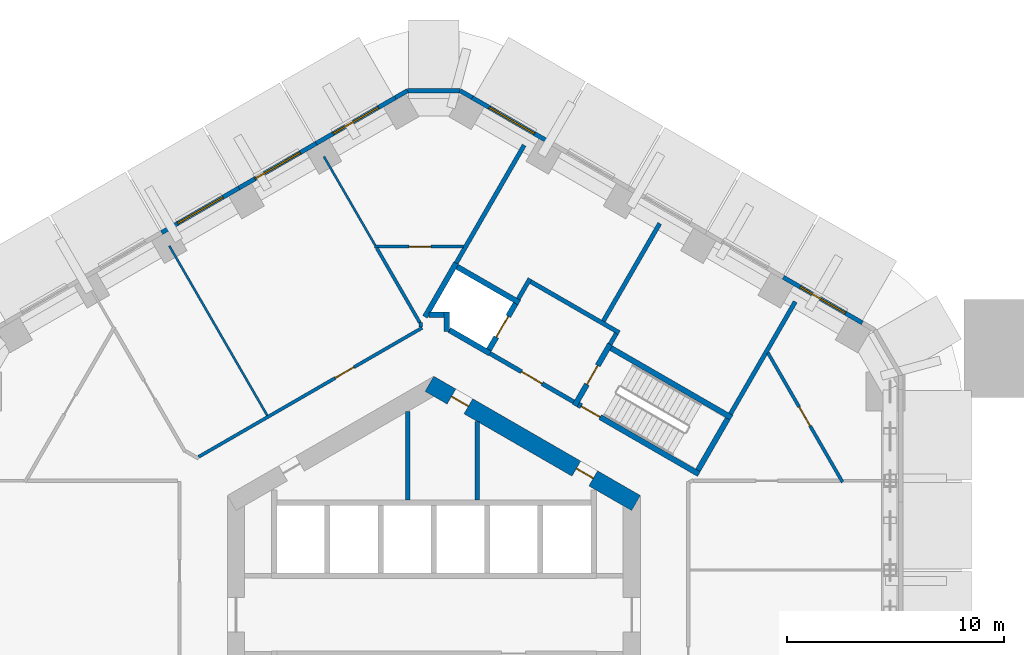
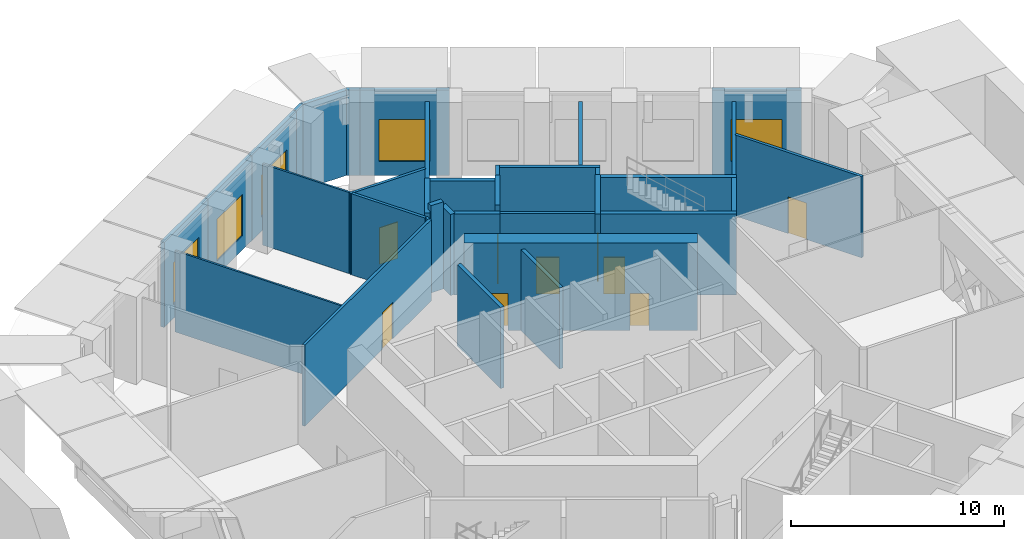
# One storey, part 5 of 10: 35 walls, 9 doors, 5 windows, 14 openings.
"""IFC4 building model written with IfcOpenShell, lengths in metres."""

from ifc_helpers import new_model, si_unit, direction, frame, frame_2d, origin, place, context, subcontext, project, spatial, rectangle, extrude, material, layer, layer_set, type_object, element, fill, save


model = new_model("IFC4")

# Units and contexts
model_context = context("Model", 3, precision=1e-05, world=origin(), true_north=direction((0.0, 1.0)))
body_context = subcontext(model_context, "Body", "Model", "MODEL_VIEW")
ifc_project = project(units=[si_unit("LENGTHUNIT", "METRE"), si_unit("AREAUNIT", "SQUARE_METRE"), si_unit("VOLUMEUNIT", "CUBIC_METRE"), si_unit("PLANEANGLEUNIT", "RADIAN"), si_unit("MASSUNIT", "GRAM", prefix="KILO")], contexts=[model_context])

# Site, building, storey
site_placement = place(None, origin())
site = spatial("IfcSite", under=ifc_project, at=site_placement, CompositionType="ELEMENT")
building_placement = place(site_placement, origin())
building = spatial("IfcBuilding", under=site, at=building_placement, Name="Ayvan Gate Tower", CompositionType="ELEMENT")
storey_placement = place(building_placement, frame((0.0, 0.0, 20.5)))
storey = spatial("IfcBuildingStorey", under=building, at=storey_placement, Name="L04", CompositionType="ELEMENT", Elevation=20.5)

# Wall, openings, doors
ifc_material_1 = material(Name="Concrete C70/85", Category="concrete")
ifc_layer_1 = layer(ifc_material_1, 0.800048828125)
ifc_layer_set_1 = layer_set([ifc_layer_1], Name="Concrete C70/85")
wall_type_1 = type_object("IfcWallType", Name="Core wall 800 C70/85", PredefinedType="SHEAR", material=ifc_layer_set_1)
wall_1_placement = place(storey_placement, frame((9.300048828125, 5.138427734375, 0.0), z_axis=(0.0, 0.0, 1.0), x_axis=(-0.866023993627, 0.500002442456, 0.0)))
wall_1 = element("IfcWall", 1, at=wall_1_placement, inside=storey, type_object=wall_type_1, Name="CORE-L04-1", PredefinedType="SHEAR", context=body_context, shape_type="SweptSolid", body=[
    extrude(rectangle(XDim=10.9697265625, YDim=0.800048828125, at=frame_2d((5.48486328125, 0.0))), origin(), (0.0, 0.0, 1.0), 5.0),
])
opening_1_placement = place(wall_1_placement, frame((8.902587890625, 0.0, 0.0)))
opening_1 = element("IfcOpeningElement", 2, at=opening_1_placement, cuts=wall_1, Name="Opening L04-D26", PredefinedType="OPENING", context=body_context, shape_type="SweptSolid", body=[
    extrude(rectangle(XDim=0.89990234375, YDim=2.10009765625, at=frame_2d((0.449951171875, 1.050048828125))), frame((0.0, 0.409912109375, 0.0), z_axis=(0.0, -1.0, 0.0), x_axis=(1.0, 0.0, 0.0)), (0.0, 0.0, 1.0), 0.820068359375),
])
opening_2_placement = place(wall_1_placement, frame((2.268798828125, 0.0, 0.0)))
opening_2 = element("IfcOpeningElement", 3, at=opening_2_placement, cuts=wall_1, Name="Opening L04-D27", PredefinedType="OPENING", context=body_context, shape_type="SweptSolid", body=[
    extrude(rectangle(XDim=0.89990234375, YDim=2.10009765625, at=frame_2d((0.449951171875, 1.050048828125))), frame((0.0, 0.409912109375, 0.0), z_axis=(0.0, -1.0, 0.0), x_axis=(1.0, 0.0, 0.0)), (0.0, 0.0, 1.0), 0.820068359375),
])
ifc_material_2 = material(Name="Timber door leaf", Category="wood")
door_type_1 = type_object("IfcDoorType", Name="DT-900", OperationType="NOTDEFINED", PredefinedType="DOOR", material=ifc_material_2)
door_1_placement = place(opening_1_placement, origin())
door_1 = element("IfcDoor", 4, at=door_1_placement, inside=storey, type_object=door_type_1, Name="CD-L04-26", OperationType="SINGLE_SWING_RIGHT", OverallHeight=2.10009765625, OverallWidth=0.89990234375, PredefinedType="DOOR", context=body_context, shape_type="SweptSolid", body=[
    extrude(rectangle(XDim=0.89990234375, YDim=2.10009765625, at=frame_2d((0.449951171875, 1.050048828125))), frame((0.0, 0.02490234375, 0.0), z_axis=(0.0, -1.0, 0.0), x_axis=(1.0, 0.0, 0.0)), (0.0, 0.0, 1.0), 0.050048828125),
])
fill(opening_1, door_1)
door_2_placement = place(opening_2_placement, origin())
door_2 = element("IfcDoor", 5, at=door_2_placement, inside=storey, type_object=door_type_1, Name="CD-L04-27", OperationType="SINGLE_SWING_LEFT", OverallHeight=2.10009765625, OverallWidth=0.89990234375, PredefinedType="DOOR", context=body_context, shape_type="SweptSolid", body=[
    extrude(rectangle(XDim=0.89990234375, YDim=2.10009765625, at=frame_2d((0.449951171875, 1.050048828125))), frame((0.0, 0.02490234375, 0.0), z_axis=(0.0, -1.0, 0.0), x_axis=(1.0, 0.0, 0.0)), (0.0, 0.0, 1.0), 0.050048828125),
])
fill(opening_2, door_2)

# Wall, opening, window
ifc_material_3 = material(Name="Pale metal cladding on insulated wall")
ifc_layer_2 = layer(ifc_material_3, 0.199951171875)
ifc_layer_set_2 = layer_set([ifc_layer_2], Name="Pale metal cladding on insulated wall")
wall_type_2 = type_object("IfcWallType", Name="Louvred plant wall 200", PredefinedType="SOLIDWALL", material=ifc_layer_set_2)
wall_2_placement = place(storey_placement, frame((-1.770263671875, 23.786376953125, 0.0), z_axis=(0.0, 0.0, 1.0), x_axis=(-0.866016145416, -0.500016035621, 0.0)))
wall_2 = element("IfcWall", 6, at=wall_2_placement, inside=storey, type_object=wall_type_2, Name="EW:L04:F00:0", PredefinedType="SOLIDWALL", context=body_context, shape_type="SweptSolid", body=[
    extrude(rectangle(XDim=4.198974609375, YDim=0.199951171875, at=frame_2d((2.099609375, 0.0))), origin(), (0.0, 0.0, 1.0), 4.8798828125),
])
opening_3_placement = place(wall_2_placement, frame((0.8994140625, 0.0, 0.800048828125)))
opening_3 = element("IfcOpeningElement", 7, at=opening_3_placement, cuts=wall_2, Name="Opening W-L", PredefinedType="OPENING", context=body_context, shape_type="SweptSolid", body=[
    extrude(rectangle(XDim=2.39990234375, YDim=2.39990234375, at=frame_2d((1.199951171875, 1.199951171875))), frame((0.0, 0.10986328125, 0.0), z_axis=(0.0, -1.0, 0.0), x_axis=(1.0, 0.0, 0.0)), (0.0, 0.0, 1.0), 0.219970703125),
])
ifc_material_4 = material(Name="Anodised aluminium louvre", Category="aluminium")
window_type = type_object("IfcWindowType", Name="Louvre intake W-L", PartitioningType="DOUBLE_PANEL_VERTICAL", PredefinedType="WINDOW", material=ifc_material_4)
window_1_placement = place(opening_3_placement, origin())
window_1 = element("IfcWindow", 8, at=window_1_placement, inside=storey, type_object=window_type, Name="Louvre intake L04.0.0", OverallHeight=2.39990234375, OverallWidth=2.39990234375, PartitioningType="SINGLE_PANEL", PredefinedType="WINDOW", context=body_context, shape_type="SweptSolid", body=[
    extrude(rectangle(XDim=2.39990234375, YDim=2.39990234375, at=frame_2d((1.199951171875, 1.199951171875))), frame((0.0, 0.030029296875, 0.0), z_axis=(0.0, -1.0, 0.0), x_axis=(1.0, 0.0, 0.0)), (0.0, 0.0, 1.0), 0.06005859375),
])
fill(opening_3, window_1)

wall_3_placement = place(storey_placement, frame((-5.40673828125, 21.686767578125, 0.0), z_axis=(0.0, 0.0, 1.0), x_axis=(-0.866029215606, -0.499993397673, 0.0)))
wall_3 = element("IfcWall", 9, at=wall_3_placement, inside=storey, type_object=wall_type_2, Name="EW:L04:F00:1", PredefinedType="SOLIDWALL", context=body_context, shape_type="SweptSolid", body=[
    extrude(rectangle(XDim=4.10791015625, YDim=0.199951171875, at=frame_2d((2.053955078125, 0.0))), origin(), (0.0, 0.0, 1.0), 4.8798828125),
])
opening_4_placement = place(wall_3_placement, frame((0.85400390625, 0.0, 0.800048828125)))
opening_4 = element("IfcOpeningElement", 10, at=opening_4_placement, cuts=wall_3, Name="Opening W-L", PredefinedType="OPENING", context=body_context, shape_type="SweptSolid", body=[
    extrude(rectangle(XDim=2.39990234375, YDim=2.39990234375, at=frame_2d((1.199951171875, 1.199951171875))), frame((0.0, 0.10986328125, 0.0), z_axis=(0.0, -1.0, 0.0), x_axis=(1.0, 0.0, 0.0)), (0.0, 0.0, 1.0), 0.219970703125),
])
window_2_placement = place(opening_4_placement, origin())
window_2 = element("IfcWindow", 11, at=window_2_placement, inside=storey, type_object=window_type, Name="Louvre intake L04.0.1", OverallHeight=2.39990234375, OverallWidth=2.39990234375, PartitioningType="SINGLE_PANEL", PredefinedType="WINDOW", context=body_context, shape_type="SweptSolid", body=[
    extrude(rectangle(XDim=2.39990234375, YDim=2.39990234375, at=frame_2d((1.199951171875, 1.199951171875))), frame((0.0, 0.030029296875, 0.0), z_axis=(0.0, -1.0, 0.0), x_axis=(1.0, 0.0, 0.0)), (0.0, 0.0, 1.0), 0.06005859375),
])
fill(opening_4, window_2)

wall_4_placement = place(storey_placement, frame((-8.96435546875, 19.6328125, 0.0), z_axis=(0.0, 0.0, 1.0), x_axis=(-0.866021252249, -0.500007190601, 0.0)))
wall_4 = element("IfcWall", 12, at=wall_4_placement, inside=storey, type_object=wall_type_2, Name="EW:L04:F00:2", PredefinedType="SOLIDWALL", context=body_context, shape_type="SweptSolid", body=[
    extrude(rectangle(XDim=4.10693359375, YDim=0.199951171875, at=frame_2d((2.053466796875, 0.0))), origin(), (0.0, 0.0, 1.0), 4.8798828125),
])
opening_5_placement = place(wall_4_placement, frame((0.853515625, 0.0, 0.800048828125)))
opening_5 = element("IfcOpeningElement", 13, at=opening_5_placement, cuts=wall_4, Name="Opening W-L", PredefinedType="OPENING", context=body_context, shape_type="SweptSolid", body=[
    extrude(rectangle(XDim=2.39990234375, YDim=2.39990234375, at=frame_2d((1.199951171875, 1.199951171875))), frame((0.0, 0.10986328125, 0.0), z_axis=(0.0, -1.0, 0.0), x_axis=(1.0, 0.0, 0.0)), (0.0, 0.0, 1.0), 0.219970703125),
])
window_3_placement = place(opening_5_placement, origin())
window_3 = element("IfcWindow", 14, at=window_3_placement, inside=storey, type_object=window_type, Name="Louvre intake L04.0.2", OverallHeight=2.39990234375, OverallWidth=2.39990234375, PartitioningType="SINGLE_PANEL", PredefinedType="WINDOW", context=body_context, shape_type="SweptSolid", body=[
    extrude(rectangle(XDim=2.39990234375, YDim=2.39990234375, at=frame_2d((1.199951171875, 1.199951171875))), frame((0.0, 0.030029296875, 0.0), z_axis=(0.0, -1.0, 0.0), x_axis=(1.0, 0.0, 0.0)), (0.0, 0.0, 1.0), 0.06005859375),
])
fill(opening_5, window_3)

wall_5_placement = place(storey_placement, frame((19.71435546875, 13.42626953125, 0.0), z_axis=(0.0, 0.0, 1.0), x_axis=(-0.866041321553, 0.499972428603, 0.0)))
wall_5 = element("IfcWall", 15, at=wall_5_placement, inside=storey, type_object=wall_type_2, Name="EW:L04:F10:0", PredefinedType="SOLIDWALL", context=body_context, shape_type="SweptSolid", body=[
    extrude(rectangle(XDim=4.198974609375, YDim=0.199951171875, at=frame_2d((2.099609375, 0.0))), origin(), (0.0, 0.0, 1.0), 4.8798828125),
])
opening_6_placement = place(wall_5_placement, frame((0.8994140625, 0.0, 0.800048828125)))
opening_6 = element("IfcOpeningElement", 16, at=opening_6_placement, cuts=wall_5, Name="Opening W-L", PredefinedType="OPENING", context=body_context, shape_type="SweptSolid", body=[
    extrude(rectangle(XDim=2.39990234375, YDim=2.39990234375, at=frame_2d((1.199951171875, 1.199951171875))), frame((0.0, 0.10986328125, 0.0), z_axis=(0.0, -1.0, 0.0), x_axis=(1.0, 0.0, 0.0)), (0.0, 0.0, 1.0), 0.219970703125),
])
window_4_placement = place(opening_6_placement, origin())
window_4 = element("IfcWindow", 17, at=window_4_placement, inside=storey, type_object=window_type, Name="Louvre intake L04.10.0", OverallHeight=2.39990234375, OverallWidth=2.39990234375, PartitioningType="SINGLE_PANEL", PredefinedType="WINDOW", context=body_context, shape_type="SweptSolid", body=[
    extrude(rectangle(XDim=2.39990234375, YDim=2.39990234375, at=frame_2d((1.199951171875, 1.199951171875))), frame((0.0, 0.030029296875, 0.0), z_axis=(0.0, -1.0, 0.0), x_axis=(1.0, 0.0, 0.0)), (0.0, 0.0, 1.0), 0.06005859375),
])
fill(opening_6, window_4)

wall_6_placement = place(storey_placement, frame((5.40673828125, 21.686767578125, 0.0), z_axis=(0.0, 0.0, 1.0), x_axis=(-0.866016145416, 0.500016035621, 0.0)))
wall_6 = element("IfcWall", 18, at=wall_6_placement, inside=storey, type_object=wall_type_2, Name="EW:L04:F10:4", PredefinedType="SOLIDWALL", context=body_context, shape_type="SweptSolid", body=[
    extrude(rectangle(XDim=4.198974609375, YDim=0.199951171875, at=frame_2d((2.099609375, 0.0))), origin(), (0.0, 0.0, 1.0), 4.8798828125),
])
opening_7_placement = place(wall_6_placement, frame((0.899658203125, 0.0, 0.800048828125)))
opening_7 = element("IfcOpeningElement", 19, at=opening_7_placement, cuts=wall_6, Name="Opening W-L", PredefinedType="OPENING", context=body_context, shape_type="SweptSolid", body=[
    extrude(rectangle(XDim=2.39990234375, YDim=2.39990234375, at=frame_2d((1.199951171875, 1.199951171875))), frame((0.0, 0.10986328125, 0.0), z_axis=(0.0, -1.0, 0.0), x_axis=(1.0, 0.0, 0.0)), (0.0, 0.0, 1.0), 0.219970703125),
])
window_5_placement = place(opening_7_placement, origin())
window_5 = element("IfcWindow", 20, at=window_5_placement, inside=storey, type_object=window_type, Name="Louvre intake L04.10.4", OverallHeight=2.39990234375, OverallWidth=2.39990234375, PartitioningType="SINGLE_PANEL", PredefinedType="WINDOW", context=body_context, shape_type="SweptSolid", body=[
    extrude(rectangle(XDim=2.39990234375, YDim=2.39990234375, at=frame_2d((1.199951171875, 1.199951171875))), frame((0.0, 0.030029296875, 0.0), z_axis=(0.0, -1.0, 0.0), x_axis=(1.0, 0.0, 0.0)), (0.0, 0.0, 1.0), 0.06005859375),
])
fill(opening_7, window_5)

# Walls
wall_7_placement = place(storey_placement, frame((1.770263671875, 23.786376953125, 0.0), z_axis=(0.0, 0.0, 1.0), x_axis=(-0.866085525409, 0.49989585183, 0.0)))
element("IfcWall", 21, at=wall_7_placement, inside=storey, type_object=wall_type_2, Name="EW:L04:C11:0", PredefinedType="SOLIDWALL", context=body_context, shape_type="SweptSolid", body=[
    extrude(rectangle(XDim=0.650146484375, YDim=0.199951171875, at=frame_2d((0.3251953125, 0.0))), origin(), (0.0, 0.0, 1.0), 4.8798828125),
])
wall_8_placement = place(storey_placement, frame((1.207275390625, 24.111328125, 0.0), z_axis=(0.0, 0.0, 1.0), x_axis=(-1.0, 0.0, 0.0)))
element("IfcWall", 22, at=wall_8_placement, inside=storey, type_object=wall_type_2, Name="EW:L04:C11:1", PredefinedType="SOLIDWALL", context=body_context, shape_type="SweptSolid", body=[
    extrude(rectangle(XDim=2.41455078125, YDim=0.199951171875, at=frame_2d((1.207275390625, 0.0))), origin(), (0.0, 0.0, 1.0), 4.8798828125),
])
wall_9_placement = place(storey_placement, frame((-1.207275390625, 24.111328125, 0.0), z_axis=(0.0, 0.0, 1.0), x_axis=(-0.866085525409, -0.49989585183, 0.0)))
element("IfcWall", 23, at=wall_9_placement, inside=storey, type_object=wall_type_2, Name="EW:L04:C11:2", PredefinedType="SOLIDWALL", context=body_context, shape_type="SweptSolid", body=[
    extrude(rectangle(XDim=0.650146484375, YDim=0.199951171875, at=frame_2d((0.3251953125, 0.0))), origin(), (0.0, 0.0, 1.0), 4.8798828125),
])

# Wall, opening, door
ifc_material_5 = material(Name="Plasterboard on steel stud", Category="steel")
ifc_layer_3 = layer(ifc_material_5, 0.14990234375)
ifc_layer_set_3 = layer_set([ifc_layer_3], Name="Plasterboard on steel stud")
wall_type_3 = type_object("IfcWallType", Name="WT-CORR-150", PredefinedType="PARTITIONING", material=ifc_layer_set_3)
wall_10_placement = place(storey_placement, frame((-10.824951171875, 7.26025390625, 0.0), z_axis=(0.0, 0.0, 1.0), x_axis=(0.866026819738, 0.499997547488, 0.0)))
wall_10 = element("IfcWall", 24, at=wall_10_placement, inside=storey, type_object=wall_type_3, Name="IW-L04-016", PredefinedType="PARTITIONING", context=body_context, shape_type="SweptSolid", body=[
    extrude(rectangle(XDim=11.8818359375, YDim=0.14990234375, at=frame_2d((5.94091796875, 0.0))), origin(), (0.0, 0.0, 1.0), 4.64990234375),
])
opening_8_placement = place(wall_10_placement, frame((7.263916015625, 0.0, 0.0)))
opening_8 = element("IfcOpeningElement", 25, at=opening_8_placement, cuts=wall_10, Name="Opening L04-D21", PredefinedType="OPENING", context=body_context, shape_type="SweptSolid", body=[
    extrude(rectangle(XDim=1.0, YDim=2.10009765625, at=frame_2d((0.5, 1.050048828125))), frame((0.0, 0.0849609375, 0.0), z_axis=(0.0, -1.0, 0.0), x_axis=(1.0, 0.0, 0.0)), (0.0, 0.0, 1.0), 0.169921875),
])
door_type_2 = type_object("IfcDoorType", Name="DT-1000", OperationType="NOTDEFINED", PredefinedType="DOOR", material=ifc_material_2)
door_3_placement = place(opening_8_placement, origin())
door_3 = element("IfcDoor", 26, at=door_3_placement, inside=storey, type_object=door_type_2, Name="ID-L04-021", OperationType="SINGLE_SWING_LEFT", OverallHeight=2.10009765625, OverallWidth=1.0, PredefinedType="DOOR", context=body_context, shape_type="SweptSolid", body=[
    extrude(rectangle(XDim=1.0, YDim=2.10009765625, at=frame_2d((0.5, 1.050048828125))), frame((0.0, 0.02490234375, 0.0), z_axis=(0.0, -1.0, 0.0), x_axis=(1.0, 0.0, 0.0)), (0.0, 0.0, 1.0), 0.050048828125),
])
fill(opening_8, door_3)

wall_11_placement = place(storey_placement, frame((-2.739013671875, 16.935791015625, 0.0), z_axis=(0.0, 0.0, 1.0), x_axis=(1.0, 0.0, 0.0)))
wall_11 = element("IfcWall", 27, at=wall_11_placement, inside=storey, type_object=wall_type_3, Name="IW-L04-036", PredefinedType="PARTITIONING", context=body_context, shape_type="SweptSolid", body=[
    extrude(rectangle(XDim=4.10302734375, YDim=0.14990234375, at=frame_2d((2.051513671875, 0.0))), origin(), (0.0, 0.0, 1.0), 4.64990234375),
])
opening_9_placement = place(wall_11_placement, frame((1.6064453125, 0.0, 0.0)))
opening_9 = element("IfcOpeningElement", 28, at=opening_9_placement, cuts=wall_11, Name="Opening L04-D23", PredefinedType="OPENING", context=body_context, shape_type="SweptSolid", body=[
    extrude(rectangle(XDim=1.0, YDim=2.10009765625, at=frame_2d((0.5, 1.050048828125))), frame((0.0, 0.0849609375, 0.0), z_axis=(0.0, -1.0, 0.0), x_axis=(1.0, 0.0, 0.0)), (0.0, 0.0, 1.0), 0.169921875),
])
door_4_placement = place(opening_9_placement, origin())
door_4 = element("IfcDoor", 29, at=door_4_placement, inside=storey, type_object=door_type_2, Name="ID-L04-023", OperationType="SINGLE_SWING_LEFT", OverallHeight=2.10009765625, OverallWidth=1.0, PredefinedType="DOOR", context=body_context, shape_type="SweptSolid", body=[
    extrude(rectangle(XDim=1.0, YDim=2.10009765625, at=frame_2d((0.5, 1.050048828125))), frame((0.0, 0.02490234375, 0.0), z_axis=(0.0, -1.0, 0.0), x_axis=(1.0, 0.0, 0.0)), (0.0, 0.0, 1.0), 0.050048828125),
])
fill(opening_9, door_4)

# Walls
wall_12_placement = place(storey_placement, frame((-0.60009765625, 13.238525390625, 0.0), z_axis=(0.0, 0.0, 1.0), x_axis=(0.0, 1.0, 0.0)))
element("IfcWall", 30, at=wall_12_placement, inside=storey, type_object=wall_type_3, Name="IW-L04-047", PredefinedType="PARTITIONING", context=body_context, shape_type="SweptSolid", body=[
    extrude(rectangle(XDim=0.197265625, YDim=0.14990234375, at=frame_2d((0.0986328125, 0.0))), origin(), (0.0, 0.0, 1.0), 4.64990234375),
])
wall_13_placement = place(storey_placement, frame((-0.637451171875, 13.42578125, 0.0), z_axis=(0.0, 0.0, 1.0), x_axis=(-0.500046503579, 0.865998553266, 0.0)))
element("IfcWall", 31, at=wall_13_placement, inside=storey, type_object=wall_type_3, Name="IW-L04-048", PredefinedType="PARTITIONING", context=body_context, shape_type="SweptSolid", body=[
    extrude(rectangle(XDim=3.97802734375, YDim=0.14990234375, at=frame_2d((1.989013671875, 0.0))), origin(), (0.0, 0.0, 1.0), 4.64990234375),
])

# Wall, opening, door
wall_14_placement = place(storey_placement, frame((15.37060546875, 12.04931640625, 0.0), z_axis=(0.0, 0.0, 1.0), x_axis=(0.49999297727, -0.866029458321, 0.0)))
wall_14 = element("IfcWall", 32, at=wall_14_placement, inside=storey, type_object=wall_type_3, Name="IW-L04-094", PredefinedType="PARTITIONING", context=body_context, shape_type="SweptSolid", body=[
    extrude(rectangle(XDim=6.87451171875, YDim=0.14990234375, at=frame_2d((3.437255859375, 0.0))), origin(), (0.0, 0.0, 1.0), 4.64990234375),
])
opening_10_placement = place(wall_14_placement, frame((2.88232421875, 0.0, 0.0)))
opening_10 = element("IfcOpeningElement", 33, at=opening_10_placement, cuts=wall_14, Name="Opening L04-D15", PredefinedType="OPENING", context=body_context, shape_type="SweptSolid", body=[
    extrude(rectangle(XDim=1.0, YDim=2.10009765625, at=frame_2d((0.5, 1.050048828125))), frame((0.0, 0.0849609375, 0.0), z_axis=(0.0, -1.0, 0.0), x_axis=(1.0, 0.0, 0.0)), (0.0, 0.0, 1.0), 0.169921875),
])
door_5_placement = place(opening_10_placement, origin())
door_5 = element("IfcDoor", 34, at=door_5_placement, inside=storey, type_object=door_type_2, Name="ID-L04-015", OperationType="SINGLE_SWING_LEFT", OverallHeight=2.10009765625, OverallWidth=1.0, PredefinedType="DOOR", context=body_context, shape_type="SweptSolid", body=[
    extrude(rectangle(XDim=1.0, YDim=2.10009765625, at=frame_2d((0.5, 1.050048828125))), frame((0.0, 0.02490234375, 0.0), z_axis=(0.0, -1.0, 0.0), x_axis=(1.0, 0.0, 0.0)), (0.0, 0.0, 1.0), 0.050048828125),
])
fill(opening_10, door_5)

# Walls
ifc_layer_4 = layer(ifc_material_5, 0.10009765625)
ifc_layer_set_4 = layer_set([ifc_layer_4], Name="Plasterboard on steel stud")
wall_type_4 = type_object("IfcWallType", Name="WT-PART-100", PredefinedType="PARTITIONING", material=ifc_layer_set_4)
wall_15_placement = place(storey_placement, frame((-7.666015625, 9.170654296875, 0.0), z_axis=(0.0, 0.0, 1.0), x_axis=(-0.500009404554, 0.866019973994, 0.0)))
element("IfcWall", 35, at=wall_15_placement, inside=storey, type_object=wall_type_4, Name="IW-L04-022", PredefinedType="PARTITIONING", context=body_context, shape_type="SweptSolid", body=[
    extrude(rectangle(XDim=9.009521484375, YDim=0.10009765625, at=frame_2d((4.5048828125, 0.0))), origin(), (0.0, 0.0, 1.0), 4.64990234375),
])
wall_16_placement = place(storey_placement, frame((-5.056884765625, 21.080322265625, 0.0), z_axis=(0.0, 0.0, 1.0), x_axis=(0.500018540756, -0.866014699009, 0.0)))
element("IfcWall", 36, at=wall_16_placement, inside=storey, type_object=wall_type_4, Name="IW-L04-030", PredefinedType="PARTITIONING", context=body_context, shape_type="SweptSolid", body=[
    extrude(rectangle(XDim=4.710693359375, YDim=0.10009765625, at=frame_2d((2.35546875, 0.0))), origin(), (0.0, 0.0, 1.0), 4.64990234375),
])
ifc_layer_5 = layer(ifc_material_5, 0.199951171875)
ifc_layer_set_5 = layer_set([ifc_layer_5], Name="Plasterboard on steel stud")
wall_type_5 = type_object("IfcWallType", Name="WT-PLUMB-200", PredefinedType="PLUMBINGWALL", material=ifc_layer_set_5)
wall_17_placement = place(storey_placement, frame((1.027099609375, 16.178955078125, 0.0), z_axis=(0.0, 0.0, 1.0), x_axis=(0.499998165157, 0.866026463129, 0.0)))
element("IfcWall", 37, at=wall_17_placement, inside=storey, type_object=wall_type_5, Name="IW-L04-056", PredefinedType="PLUMBINGWALL", context=body_context, shape_type="SweptSolid", body=[
    extrude(rectangle(XDim=6.259765625, YDim=0.199951171875, at=frame_2d((3.1298828125, 0.0))), origin(), (0.0, 0.0, 1.0), 4.64990234375),
])
wall_18_placement = place(storey_placement, frame((3.885009765625, 14.52880859375, 0.0), z_axis=(0.0, 0.0, 1.0), x_axis=(0.499997628298, 0.866026773083, 0.0)))
element("IfcWall", 38, at=wall_18_placement, inside=storey, type_object=wall_type_5, Name="IW-L04-065", PredefinedType="PLUMBINGWALL", context=body_context, shape_type="SweptSolid", body=[
    extrude(rectangle(XDim=1.0751953125, YDim=0.199951171875, at=frame_2d((0.53759765625, 0.0))), origin(), (0.0, 0.0, 1.0), 4.64990234375),
])
wall_19_placement = place(storey_placement, frame((4.458984375, 15.323486328125, 0.0), z_axis=(0.0, 0.0, 1.0), x_axis=(0.866016039709, -0.500016218704, 0.0)))
element("IfcWall", 39, at=wall_19_placement, inside=storey, type_object=wall_type_5, Name="IW-L04-068", PredefinedType="PLUMBINGWALL", context=body_context, shape_type="SweptSolid", body=[
    extrude(rectangle(XDim=4.699951171875, YDim=0.199951171875, at=frame_2d((2.35009765625, 0.0))), origin(), (0.0, 0.0, 1.0), 4.64990234375),
])
wall_20_placement = place(storey_placement, frame((7.800048828125, 13.510009765625, 0.0), z_axis=(0.0, 0.0, 1.0), x_axis=(0.499998276493, 0.866026398849, 0.0)))
element("IfcWall", 40, at=wall_20_placement, inside=storey, type_object=wall_type_5, Name="IW-L04-080", PredefinedType="PLUMBINGWALL", context=body_context, shape_type="SweptSolid", body=[
    extrude(rectangle(XDim=5.1845703125, YDim=0.199951171875, at=frame_2d((2.59228515625, 0.0))), origin(), (0.0, 0.0, 1.0), 4.64990234375),
])
wall_21_placement = place(storey_placement, frame((8.392822265625, 12.936767578125, 0.0), z_axis=(0.0, 0.0, 1.0), x_axis=(-0.500065409566, -0.86598763626, 0.0)))
element("IfcWall", 41, at=wall_21_placement, inside=storey, type_object=wall_type_5, Name="IW-L04-082", PredefinedType="PLUMBINGWALL", context=body_context, shape_type="SweptSolid", body=[
    extrude(rectangle(XDim=0.5751953125, YDim=0.199951171875, at=frame_2d((0.28759765625, 0.0))), origin(), (0.0, 0.0, 1.0), 4.64990234375),
])
wall_22_placement = place(storey_placement, frame((13.64794921875, 9.23876953125, 0.0), z_axis=(0.0, 0.0, 1.0), x_axis=(0.499994325412, 0.866028679985, 0.0)))
element("IfcWall", 42, at=wall_22_placement, inside=storey, type_object=wall_type_5, Name="IW-L04-095", PredefinedType="PLUMBINGWALL", context=body_context, shape_type="SweptSolid", body=[
    extrude(rectangle(XDim=5.95947265625, YDim=0.199951171875, at=frame_2d((2.979736328125, 0.0))), origin(), (0.0, 0.0, 1.0), 4.64990234375),
])
ifc_layer_6 = layer(ifc_material_5, 0.199951171875)
ifc_layer_set_6 = layer_set([ifc_layer_6], Name="Plasterboard on steel stud")
wall_type_6 = type_object("IfcWallType", Name="WT-RATED-200", PredefinedType="PARTITIONING", material=ifc_layer_set_6)
wall_23_placement = place(storey_placement, frame((-1.199951171875, 9.35302734375, 0.0), z_axis=(0.0, 0.0, 1.0), x_axis=(0.0, -1.0, 0.0)))
element("IfcWall", 43, at=wall_23_placement, inside=storey, type_object=wall_type_6, Name="IW-L04-042", PredefinedType="PARTITIONING", context=body_context, shape_type="SweptSolid", body=[
    extrude(rectangle(XDim=4.078125, YDim=0.199951171875, at=frame_2d((2.0390625, 0.0))), origin(), (0.0, 0.0, 1.0), 4.64990234375),
])
wall_24_placement = place(storey_placement, frame((2.0, 8.89111328125, 0.0), z_axis=(0.0, 0.0, 1.0), x_axis=(0.0, -1.0, 0.0)))
element("IfcWall", 44, at=wall_24_placement, inside=storey, type_object=wall_type_6, Name="IW-L04-059", PredefinedType="PARTITIONING", context=body_context, shape_type="SweptSolid", body=[
    extrude(rectangle(XDim=3.6162109375, YDim=0.199951171875, at=frame_2d((1.80810546875, 0.0))), origin(), (0.0, 0.0, 1.0), 4.64990234375),
])

# Wall, opening, door
wall_25_placement = place(storey_placement, frame((6.4345703125, 9.794921875, 0.0), z_axis=(0.0, 0.0, 1.0), x_axis=(-0.866012907634, 0.500021643343, 0.0)))
wall_25 = element("IfcWall", 45, at=wall_25_placement, inside=storey, type_object=wall_type_6, Name="IW-L04-071", PredefinedType="PARTITIONING", context=body_context, shape_type="SweptSolid", body=[
    extrude(rectangle(XDim=4.449951171875, YDim=0.199951171875, at=frame_2d((2.22509765625, 0.0))), origin(), (0.0, 0.0, 1.0), 4.64990234375),
])
opening_11_placement = place(wall_25_placement, frame((1.675048828125, 0.0, 0.0)))
opening_11 = element("IfcOpeningElement", 46, at=opening_11_placement, cuts=wall_25, Name="Opening L04-D04", PredefinedType="OPENING", context=body_context, shape_type="SweptSolid", body=[
    extrude(rectangle(XDim=1.10009765625, YDim=2.10009765625, at=frame_2d((0.550048828125, 1.050048828125))), frame((0.0, 0.10986328125, 0.0), z_axis=(0.0, -1.0, 0.0), x_axis=(1.0, 0.0, 0.0)), (0.0, 0.0, 1.0), 0.219970703125),
])
door_type_3 = type_object("IfcDoorType", Name="DT-1100", OperationType="NOTDEFINED", PredefinedType="DOOR", material=ifc_material_2)
door_6_placement = place(opening_11_placement, origin())
door_6 = element("IfcDoor", 47, at=door_6_placement, inside=storey, type_object=door_type_3, Name="ID-L04-004", OperationType="SINGLE_SWING_RIGHT", OverallHeight=2.10009765625, OverallWidth=1.10009765625, PredefinedType="DOOR", context=body_context, shape_type="SweptSolid", body=[
    extrude(rectangle(XDim=1.10009765625, YDim=2.10009765625, at=frame_2d((0.550048828125, 1.050048828125))), frame((0.0, 0.02490234375, 0.0), z_axis=(0.0, -1.0, 0.0), x_axis=(1.0, 0.0, 0.0)), (0.0, 0.0, 1.0), 0.050048828125),
])
fill(opening_11, door_6)

# Walls
ifc_material_6 = material(Name="Concrete C50/60", Category="concrete")
ifc_layer_7 = layer(ifc_material_6, 0.25)
ifc_layer_set_7 = layer_set([ifc_layer_7], Name="Concrete C50/60")
wall_type_7 = type_object("IfcWallType", Name="WT-RC-250", PredefinedType="SHEAR", material=ifc_layer_set_7)
wall_26_placement = place(storey_placement, frame((-0.403076171875, 13.70166015625, 0.0), z_axis=(0.0, 0.0, 1.0), x_axis=(0.499976111731, 0.866039195244, 0.0)))
element("IfcWall", 48, at=wall_26_placement, inside=storey, type_object=wall_type_7, Name="IW-L04-049", PredefinedType="SHEAR", context=body_context, shape_type="SweptSolid", body=[
    extrude(rectangle(XDim=2.860595703125, YDim=0.25, at=frame_2d((1.43017578125, 0.0))), origin(), (0.0, 0.0, 1.0), 4.64990234375),
])
wall_27_placement = place(storey_placement, frame((0.60009765625, 13.03857421875, 0.0), z_axis=(0.0, 0.0, 1.0), x_axis=(0.0, 1.0, 0.0)))
element("IfcWall", 49, at=wall_27_placement, inside=storey, type_object=wall_type_7, Name="IW-L04-053", PredefinedType="SHEAR", context=body_context, shape_type="SweptSolid", body=[
    extrude(rectangle(XDim=0.896484375, YDim=0.25, at=frame_2d((0.4482421875, 0.0))), origin(), (0.0, 0.0, 1.0), 4.64990234375),
])
wall_28_placement = place(storey_placement, frame((0.47509765625, 13.81005859375, 0.0), z_axis=(0.0, 0.0, 1.0), x_axis=(-1.0, 0.0, 0.0)))
element("IfcWall", 50, at=wall_28_placement, inside=storey, type_object=wall_type_7, Name="IW-L04-054", PredefinedType="SHEAR", context=body_context, shape_type="SweptSolid", body=[
    extrude(rectangle(XDim=0.690673828125, YDim=0.25, at=frame_2d((0.34521484375, 0.0))), origin(), (0.0, 0.0, 1.0), 5.0),
])
wall_29_placement = place(storey_placement, frame((1.072998046875, 16.00830078125, 0.0), z_axis=(0.0, 0.0, 1.0), x_axis=(0.866040211805, -0.499974350878, 0.0)))
element("IfcWall", 51, at=wall_29_placement, inside=storey, type_object=wall_type_7, Name="IW-L04-057", PredefinedType="SHEAR", context=body_context, shape_type="SweptSolid", body=[
    extrude(rectangle(XDim=3.300048828125, YDim=0.25, at=frame_2d((1.64990234375, 0.0))), origin(), (0.0, 0.0, 1.0), 4.64990234375),
])
wall_30_placement = place(storey_placement, frame((2.580810546875, 12.02001953125, 0.0), z_axis=(0.0, 0.0, 1.0), x_axis=(-0.86603892542, 0.499976579108, 0.0)))
element("IfcWall", 52, at=wall_30_placement, inside=storey, type_object=wall_type_7, Name="IW-L04-062", PredefinedType="SHEAR", context=body_context, shape_type="SweptSolid", body=[
    extrude(rectangle(XDim=2.162109375, YDim=0.25, at=frame_2d((1.0810546875, 0.0))), origin(), (0.0, 0.0, 1.0), 4.64990234375),
])

# Wall, opening, door
wall_31_placement = place(storey_placement, frame((2.534912109375, 12.19091796875, 0.0), z_axis=(0.0, 0.0, 1.0), x_axis=(0.500061746146, 0.865989751695, 0.0)))
wall_31 = element("IfcWall", 53, at=wall_31_placement, inside=storey, type_object=wall_type_7, Name="IW-L04-063", PredefinedType="SHEAR", context=body_context, shape_type="SweptSolid", body=[
    extrude(rectangle(XDim=2.449951171875, YDim=0.25, at=frame_2d((1.22509765625, 0.0))), origin(), (0.0, 0.0, 1.0), 5.0),
])
opening_12_placement = place(wall_31_placement, frame((0.675048828125, 0.0, 0.0)))
opening_12 = element("IfcOpeningElement", 54, at=opening_12_placement, cuts=wall_31, Name="Opening L04-LD-FF1", PredefinedType="OPENING", context=body_context, shape_type="SweptSolid", body=[
    extrude(rectangle(XDim=1.10009765625, YDim=2.10009765625, at=frame_2d((0.550048828125, 1.050048828125))), frame((0.0, 0.135009765625, 0.0), z_axis=(0.0, -1.0, 0.0), x_axis=(1.0, 0.0, 0.0)), (0.0, 0.0, 1.0), 0.27001953125),
])
ifc_material_7 = material(Name="Stainless steel landing door", Category="steel")
door_type_4 = type_object("IfcDoorType", Name="DT-LANDING-1100", OperationType="SLIDING_TO_LEFT", PredefinedType="DOOR", material=ifc_material_7)
door_7_placement = place(opening_12_placement, origin())
door_7 = element("IfcDoor", 55, at=door_7_placement, inside=storey, type_object=door_type_4, Name="ID-L04-005", OperationType="SLIDING_TO_LEFT", OverallHeight=2.10009765625, OverallWidth=1.10009765625, PredefinedType="DOOR", context=body_context, shape_type="SweptSolid", body=[
    extrude(rectangle(XDim=1.10009765625, YDim=2.10009765625, at=frame_2d((0.550048828125, 1.050048828125))), frame((0.0, 0.02490234375, 0.0), z_axis=(0.0, -1.0, 0.0), x_axis=(1.0, 0.0, 0.0)), (0.0, 0.0, 1.0), 0.050048828125),
])
fill(opening_12, door_7)

wall_32_placement = place(storey_placement, frame((6.480224609375, 9.624267578125, 0.0), z_axis=(0.0, 0.0, 1.0), x_axis=(0.500017246033, 0.866015446554, 0.0)))
wall_32 = element("IfcWall", 56, at=wall_32_placement, inside=storey, type_object=wall_type_7, Name="IW-L04-072", PredefinedType="SHEAR", context=body_context, shape_type="SweptSolid", body=[
    extrude(rectangle(XDim=3.25, YDim=0.25, at=frame_2d((1.625, 0.0))), origin(), (0.0, 0.0, 1.0), 4.64990234375),
])
opening_13_placement = place(wall_32_placement, frame((1.125, 0.0, 0.0)))
opening_13 = element("IfcOpeningElement", 57, at=opening_13_placement, cuts=wall_32, Name="Opening L04-D03", PredefinedType="OPENING", context=body_context, shape_type="SweptSolid", body=[
    extrude(rectangle(XDim=1.0, YDim=2.10009765625, at=frame_2d((0.5, 1.050048828125))), frame((0.0, 0.135009765625, 0.0), z_axis=(0.0, -1.0, 0.0), x_axis=(1.0, 0.0, 0.0)), (0.0, 0.0, 1.0), 0.27001953125),
])
door_8_placement = place(opening_13_placement, origin())
door_8 = element("IfcDoor", 58, at=door_8_placement, inside=storey, type_object=door_type_2, Name="ID-L04-003", OperationType="SINGLE_SWING_LEFT", OverallHeight=2.10009765625, OverallWidth=1.0, PredefinedType="DOOR", context=body_context, shape_type="SweptSolid", body=[
    extrude(rectangle(XDim=1.0, YDim=2.10009765625, at=frame_2d((0.5, 1.050048828125))), frame((0.0, 0.02490234375, 0.0), z_axis=(0.0, -1.0, 0.0), x_axis=(1.0, 0.0, 0.0)), (0.0, 0.0, 1.0), 0.050048828125),
])
fill(opening_13, door_8)

# Wall
wall_33_placement = place(storey_placement, frame((8.151123046875, 12.26806640625, 0.0), z_axis=(0.0, 0.0, 1.0), x_axis=(0.866025499775, -0.499999833739, 0.0)))
element("IfcWall", 59, at=wall_33_placement, inside=storey, type_object=wall_type_7, Name="IW-L04-081", PredefinedType="SHEAR", context=body_context, shape_type="SweptSolid", body=[
    extrude(rectangle(XDim=6.39990234375, YDim=0.25, at=frame_2d((3.199951171875, 0.0))), origin(), (0.0, 0.0, 1.0), 4.64990234375),
])

# Wall, opening, door
wall_34_placement = place(storey_placement, frame((12.193603515625, 6.469970703125, 0.0), z_axis=(0.0, 0.0, 1.0), x_axis=(-0.866025499775, 0.499999833739, 0.0)))
wall_34 = element("IfcWall", 60, at=wall_34_placement, inside=storey, type_object=wall_type_7, Name="IW-L04-092", PredefinedType="SHEAR", context=body_context, shape_type="SweptSolid", body=[
    extrude(rectangle(XDim=6.39990234375, YDim=0.25, at=frame_2d((3.199951171875, 0.0))), origin(), (0.0, 0.0, 1.0), 4.64990234375),
])
opening_14_placement = place(wall_34_placement, frame((5.25, 0.0, 0.0)))
opening_14 = element("IfcOpeningElement", 61, at=opening_14_placement, cuts=wall_34, Name="Opening L04-D02", PredefinedType="OPENING", context=body_context, shape_type="SweptSolid", body=[
    extrude(rectangle(XDim=1.0, YDim=2.10009765625, at=frame_2d((0.5, 1.050048828125))), frame((0.0, 0.135009765625, 0.0), z_axis=(0.0, -1.0, 0.0), x_axis=(1.0, 0.0, 0.0)), (0.0, 0.0, 1.0), 0.27001953125),
])
door_9_placement = place(opening_14_placement, origin())
door_9 = element("IfcDoor", 62, at=door_9_placement, inside=storey, type_object=door_type_2, Name="ID-L04-002", OperationType="SINGLE_SWING_RIGHT", OverallHeight=2.10009765625, OverallWidth=1.0, PredefinedType="DOOR", context=body_context, shape_type="SweptSolid", body=[
    extrude(rectangle(XDim=1.0, YDim=2.10009765625, at=frame_2d((0.5, 1.050048828125))), frame((0.0, 0.02490234375, 0.0), z_axis=(0.0, -1.0, 0.0), x_axis=(1.0, 0.0, 0.0)), (0.0, 0.0, 1.0), 0.050048828125),
])
fill(opening_14, door_9)

# Wall
wall_35_placement = place(storey_placement, frame((13.52294921875, 9.022216796875, 0.0), z_axis=(0.0, 0.0, 1.0), x_axis=(-0.500034990121, -0.866005201286, 0.0)))
element("IfcWall", 63, at=wall_35_placement, inside=storey, type_object=wall_type_7, Name="IW-L04-093", PredefinedType="SHEAR", context=body_context, shape_type="SweptSolid", body=[
    extrude(rectangle(XDim=2.749755859375, YDim=0.25, at=frame_2d((1.375, 0.0))), origin(), (0.0, 0.0, 1.0), 4.64990234375),
])

save(model, "model.ifc")
